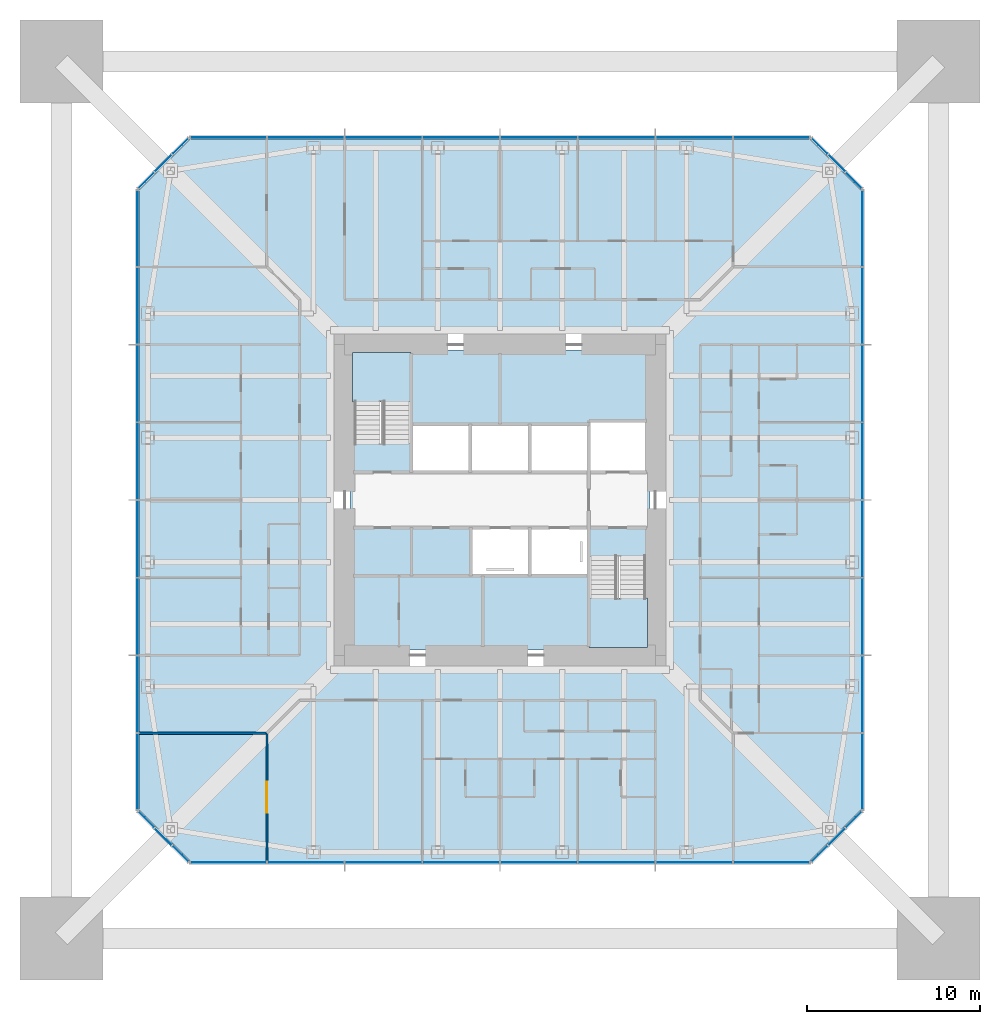
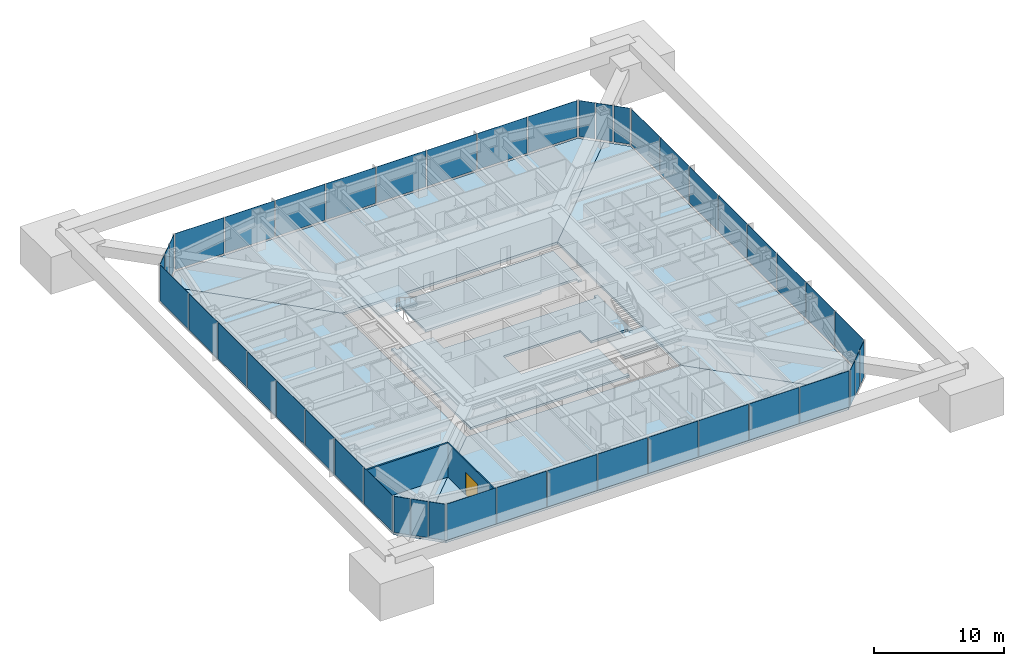
# One storey, part 12 of 20: 44 plates, 8 slabs, 2 walls, 1 door, 1 opening, 10 elements without a shape of their own.
"""IFC4 building model written with IfcOpenShell, lengths in metres."""

from ifc_helpers import new_model, si_unit, direction, frame, frame_2d, origin, origin_2d, place, context, subcontext, project, spatial, polyline, rectangle, outline, extrude, material, layer, layer_set, constituent, constituent_set, type_object, element, fill, aggregate, save


model = new_model("IFC4")

# Units and contexts
model_context = context("Model", 3, precision=1e-05, world=origin(), true_north=direction((0.0, 1.0)))
body_context = subcontext(model_context, "Body", "Model", "MODEL_VIEW")
ifc_project = project(units=[si_unit("LENGTHUNIT", "METRE"), si_unit("AREAUNIT", "SQUARE_METRE"), si_unit("VOLUMEUNIT", "CUBIC_METRE"), si_unit("PLANEANGLEUNIT", "RADIAN"), si_unit("MASSUNIT", "GRAM", prefix="KILO")], contexts=[model_context])

# Site, building, storey
site_placement = place(None, origin())
site = spatial("IfcSite", under=ifc_project, at=site_placement, CompositionType="ELEMENT")
building_placement = place(site_placement, origin())
building = spatial("IfcBuilding", under=site, at=building_placement, Name="Iwan Alto Co-Living Towers", CompositionType="ELEMENT")
storey_placement = place(building_placement, frame((0.0, 0.0, 140.0)))
storey = spatial("IfcBuildingStorey", under=building, at=storey_placement, Name="L38", CompositionType="ELEMENT", Elevation=140.0)

# Slabs
ifc_material_1 = material(Name="Concrete f'c 30 MPa", Category="concrete")
ifc_layer_1 = layer(ifc_material_1, 0.199951171875)
ifc_layer_set_1 = layer_set([ifc_layer_1], Name="CORE FLOOR SLAB 200")
slab_type_1 = type_object("IfcSlabType", Name="CORE FLOOR SLAB 200", PredefinedType="FLOOR", material=ifc_layer_set_1)
slab_1_placement = place(storey_placement, frame((0.0, 0.0, -0.199951171875)))
element("IfcSlab", 1, at=slab_1_placement, inside=storey, type_object=slab_type_1, Name="T1 core floor L38", PredefinedType="FLOOR", context=body_context, shape_type="SweptSolid", body=[
    extrude(outline(polyline([(5.14990234375, -1.60009765625), (1.72509765625, -1.60009765625), (-1.699951171875, -1.60009765625), (-1.699951171875, -4.39990234375), (1.72509765625, -4.39990234375), (5.14990234375, -4.39990234375), (5.14990234375, -8.39990234375), (5.4599609375, -8.39990234375), (5.4599609375, -8.699951171875), (-8.699951171875, -8.699951171875), (-8.699951171875, 3.580078125), (-8.39990234375, 3.580078125), (-8.39990234375, 3.27001953125), (-5.14990234375, 3.27001953125), (-5.14990234375, 1.60009765625), (-1.717041015625, 1.60009765625), (1.717041015625, 1.60009765625), (5.14990234375, 1.60009765625), (8.39990234375, 1.60009765625), (8.39990234375, 1.909912109375), (8.699951171875, 1.909912109375), (8.699951171875, -3.580078125), (8.39990234375, -3.580078125), (8.39990234375, -3.27001953125), (5.14990234375, -3.27001953125), (5.14990234375, -1.60009765625)])), origin(), (0.0, 0.0, 1.0), 0.199951171875),
])
slab_2_placement = place(storey_placement, frame((0.0, 0.0, -0.199951171875)))
element("IfcSlab", 2, at=slab_2_placement, inside=storey, type_object=slab_type_1, Name="T1 core floor L38", PredefinedType="FLOOR", context=body_context, shape_type="SweptSolid", body=[
    extrude(outline(polyline([(1.717041015625, 4.39990234375), (-1.717041015625, 4.39990234375), (-5.14990234375, 4.39990234375), (-5.14990234375, 8.39990234375), (-5.4599609375, 8.39990234375), (-5.4599609375, 8.699951171875), (8.699951171875, 8.699951171875), (8.699951171875, 4.2900390625), (8.39990234375, 4.2900390625), (8.39990234375, 4.60009765625), (5.14990234375, 4.60009765625), (5.14990234375, 4.39990234375), (1.717041015625, 4.39990234375)])), origin(), (0.0, 0.0, 1.0), 0.199951171875),
])

# Curtain wall, plates
ifc_material_2 = material(Name="Bronze aluminium unitised frame", Category="aluminium")
curtain_wall_type_1 = type_object("IfcCurtainWallType", Name="CURTAIN WALL CW-A", PredefinedType="NOTDEFINED", material=ifc_material_2)
curtain_wall_1_placement = place(storey_placement, origin())
curtain_wall_1 = element("IfcCurtainWall", 3, at=curtain_wall_1_placement, inside=storey, type_object=curtain_wall_type_1, Name="T1 curtain wall S L38", PredefinedType="NOTDEFINED")
ifc_material_3 = material(Name="Bronze-tinted insulating glass", Category="glass")
ifc_layer_2 = layer(ifc_material_3, 0.031982421875)
ifc_layer_set_2 = layer_set([ifc_layer_2], Name="CW-A PANEL TINTED IGU 32")
plate_type_1 = type_object("IfcPlateType", Name="CW-A PANEL TINTED IGU 32", PredefinedType="CURTAIN_PANEL", material=ifc_layer_set_2)
plate_1_placement = place(storey_placement, frame((-15.72998046875, -21.0, 0.10009765625), z_axis=(0.0, 0.0, 1.0), x_axis=(1.0, 0.0, 0.0)))
plate_1 = element("IfcPlate", 4, at=plate_1_placement, type_object=plate_type_1, Name="CW-A panel 1.1", PredefinedType="CURTAIN_PANEL", context=body_context, shape_type="SweptSolid", body=[
    extrude(rectangle(XDim=4.3798828125, YDim=0.031982421875, at=origin_2d()), origin(), (0.0, 0.0, 1.0), 3.39990234375),
])
plate_2_placement = place(storey_placement, frame((-11.25, -21.0, 0.10009765625), z_axis=(0.0, 0.0, 1.0), x_axis=(1.0, 0.0, 0.0)))
plate_2 = element("IfcPlate", 5, at=plate_2_placement, type_object=plate_type_1, Name="CW-A panel 2.1", PredefinedType="CURTAIN_PANEL", context=body_context, shape_type="SweptSolid", body=[
    extrude(rectangle(XDim=4.419921875, YDim=0.031982421875, at=origin_2d()), origin(), (0.0, 0.0, 1.0), 3.39990234375),
])
plate_3_placement = place(storey_placement, frame((-6.75, -21.0, 0.10009765625), z_axis=(0.0, 0.0, 1.0), x_axis=(1.0, 0.0, 0.0)))
plate_3 = element("IfcPlate", 6, at=plate_3_placement, type_object=plate_type_1, Name="CW-A panel 3.1", PredefinedType="CURTAIN_PANEL", context=body_context, shape_type="SweptSolid", body=[
    extrude(rectangle(XDim=4.419921875, YDim=0.031982421875, at=origin_2d()), origin(), (0.0, 0.0, 1.0), 3.39990234375),
])
plate_4_placement = place(storey_placement, frame((-2.25, -21.0, 0.10009765625), z_axis=(0.0, 0.0, 1.0), x_axis=(1.0, 0.0, 0.0)))
plate_4 = element("IfcPlate", 7, at=plate_4_placement, type_object=plate_type_1, Name="CW-A panel 4.1", PredefinedType="CURTAIN_PANEL", context=body_context, shape_type="SweptSolid", body=[
    extrude(rectangle(XDim=4.419921875, YDim=0.031982421875, at=origin_2d()), origin(), (0.0, 0.0, 1.0), 3.39990234375),
])
plate_5_placement = place(storey_placement, frame((2.25, -21.0, 0.10009765625), z_axis=(0.0, 0.0, 1.0), x_axis=(1.0, 0.0, 0.0)))
plate_5 = element("IfcPlate", 8, at=plate_5_placement, type_object=plate_type_1, Name="CW-A panel 5.1", PredefinedType="CURTAIN_PANEL", context=body_context, shape_type="SweptSolid", body=[
    extrude(rectangle(XDim=4.419921875, YDim=0.031982421875, at=origin_2d()), origin(), (0.0, 0.0, 1.0), 3.39990234375),
])
plate_6_placement = place(storey_placement, frame((6.75, -21.0, 0.10009765625), z_axis=(0.0, 0.0, 1.0), x_axis=(1.0, 0.0, 0.0)))
plate_6 = element("IfcPlate", 9, at=plate_6_placement, type_object=plate_type_1, Name="CW-A panel 6.1", PredefinedType="CURTAIN_PANEL", context=body_context, shape_type="SweptSolid", body=[
    extrude(rectangle(XDim=4.419921875, YDim=0.031982421875, at=origin_2d()), origin(), (0.0, 0.0, 1.0), 3.39990234375),
])
plate_7_placement = place(storey_placement, frame((11.25, -21.0, 0.10009765625), z_axis=(0.0, 0.0, 1.0), x_axis=(1.0, 0.0, 0.0)))
plate_7 = element("IfcPlate", 10, at=plate_7_placement, type_object=plate_type_1, Name="CW-A panel 7.1", PredefinedType="CURTAIN_PANEL", context=body_context, shape_type="SweptSolid", body=[
    extrude(rectangle(XDim=4.419921875, YDim=0.031982421875, at=origin_2d()), origin(), (0.0, 0.0, 1.0), 3.39990234375),
])
plate_8_placement = place(storey_placement, frame((15.72998046875, -21.0, 0.10009765625), z_axis=(0.0, 0.0, 1.0), x_axis=(1.0, 0.0, 0.0)))
plate_8 = element("IfcPlate", 11, at=plate_8_placement, type_object=plate_type_1, Name="CW-A panel 8.1", PredefinedType="CURTAIN_PANEL", context=body_context, shape_type="SweptSolid", body=[
    extrude(rectangle(XDim=4.3798828125, YDim=0.031982421875, at=origin_2d()), origin(), (0.0, 0.0, 1.0), 3.39990234375),
])
aggregate(curtain_wall_1, [plate_1, plate_2, plate_3, plate_4, plate_5, plate_6, plate_7, plate_8])

curtain_wall_2_placement = place(storey_placement, origin())
curtain_wall_2 = element("IfcCurtainWall", 12, at=curtain_wall_2_placement, inside=storey, type_object=curtain_wall_type_1, Name="T1 curtain wall E L38", PredefinedType="NOTDEFINED")
plate_9_placement = place(storey_placement, frame((21.0, -15.72998046875, 0.10009765625), z_axis=(0.0, 0.0, 1.0), x_axis=(0.0, 1.0, 0.0)))
plate_9 = element("IfcPlate", 13, at=plate_9_placement, type_object=plate_type_1, Name="CW-A panel 1.1", PredefinedType="CURTAIN_PANEL", context=body_context, shape_type="SweptSolid", body=[
    extrude(rectangle(XDim=4.3798828125, YDim=0.031982421875, at=origin_2d()), origin(), (0.0, 0.0, 1.0), 3.39990234375),
])
plate_10_placement = place(storey_placement, frame((21.0, -11.25, 0.10009765625), z_axis=(0.0, 0.0, 1.0), x_axis=(0.0, 1.0, 0.0)))
plate_10 = element("IfcPlate", 14, at=plate_10_placement, type_object=plate_type_1, Name="CW-A panel 2.1", PredefinedType="CURTAIN_PANEL", context=body_context, shape_type="SweptSolid", body=[
    extrude(rectangle(XDim=4.419921875, YDim=0.031982421875, at=origin_2d()), origin(), (0.0, 0.0, 1.0), 3.39990234375),
])
plate_11_placement = place(storey_placement, frame((21.0, -6.75, 0.10009765625), z_axis=(0.0, 0.0, 1.0), x_axis=(0.0, 1.0, 0.0)))
plate_11 = element("IfcPlate", 15, at=plate_11_placement, type_object=plate_type_1, Name="CW-A panel 3.1", PredefinedType="CURTAIN_PANEL", context=body_context, shape_type="SweptSolid", body=[
    extrude(rectangle(XDim=4.419921875, YDim=0.031982421875, at=origin_2d()), origin(), (0.0, 0.0, 1.0), 3.39990234375),
])
plate_12_placement = place(storey_placement, frame((21.0, -2.25, 0.10009765625), z_axis=(0.0, 0.0, 1.0), x_axis=(0.0, 1.0, 0.0)))
plate_12 = element("IfcPlate", 16, at=plate_12_placement, type_object=plate_type_1, Name="CW-A panel 4.1", PredefinedType="CURTAIN_PANEL", context=body_context, shape_type="SweptSolid", body=[
    extrude(rectangle(XDim=4.419921875, YDim=0.031982421875, at=origin_2d()), origin(), (0.0, 0.0, 1.0), 3.39990234375),
])
plate_13_placement = place(storey_placement, frame((21.0, 2.25, 0.10009765625), z_axis=(0.0, 0.0, 1.0), x_axis=(0.0, 1.0, 0.0)))
plate_13 = element("IfcPlate", 17, at=plate_13_placement, type_object=plate_type_1, Name="CW-A panel 5.1", PredefinedType="CURTAIN_PANEL", context=body_context, shape_type="SweptSolid", body=[
    extrude(rectangle(XDim=4.419921875, YDim=0.031982421875, at=origin_2d()), origin(), (0.0, 0.0, 1.0), 3.39990234375),
])
plate_14_placement = place(storey_placement, frame((21.0, 6.75, 0.10009765625), z_axis=(0.0, 0.0, 1.0), x_axis=(0.0, 1.0, 0.0)))
plate_14 = element("IfcPlate", 18, at=plate_14_placement, type_object=plate_type_1, Name="CW-A panel 6.1", PredefinedType="CURTAIN_PANEL", context=body_context, shape_type="SweptSolid", body=[
    extrude(rectangle(XDim=4.419921875, YDim=0.031982421875, at=origin_2d()), origin(), (0.0, 0.0, 1.0), 3.39990234375),
])
plate_15_placement = place(storey_placement, frame((21.0, 11.25, 0.10009765625), z_axis=(0.0, 0.0, 1.0), x_axis=(0.0, 1.0, 0.0)))
plate_15 = element("IfcPlate", 19, at=plate_15_placement, type_object=plate_type_1, Name="CW-A panel 7.1", PredefinedType="CURTAIN_PANEL", context=body_context, shape_type="SweptSolid", body=[
    extrude(rectangle(XDim=4.419921875, YDim=0.031982421875, at=origin_2d()), origin(), (0.0, 0.0, 1.0), 3.39990234375),
])
plate_16_placement = place(storey_placement, frame((21.0, 15.72998046875, 0.10009765625), z_axis=(0.0, 0.0, 1.0), x_axis=(0.0, 1.0, 0.0)))
plate_16 = element("IfcPlate", 20, at=plate_16_placement, type_object=plate_type_1, Name="CW-A panel 8.1", PredefinedType="CURTAIN_PANEL", context=body_context, shape_type="SweptSolid", body=[
    extrude(rectangle(XDim=4.3798828125, YDim=0.031982421875, at=origin_2d()), origin(), (0.0, 0.0, 1.0), 3.39990234375),
])
aggregate(curtain_wall_2, [plate_9, plate_10, plate_11, plate_12, plate_13, plate_14, plate_15, plate_16])

curtain_wall_3_placement = place(storey_placement, origin())
curtain_wall_3 = element("IfcCurtainWall", 21, at=curtain_wall_3_placement, inside=storey, type_object=curtain_wall_type_1, Name="T1 curtain wall N L38", PredefinedType="NOTDEFINED")
plate_17_placement = place(storey_placement, frame((15.72998046875, 21.0, 0.10009765625), z_axis=(0.0, 0.0, 1.0), x_axis=(-1.0, 0.0, 0.0)))
plate_17 = element("IfcPlate", 22, at=plate_17_placement, type_object=plate_type_1, Name="CW-A panel 1.1", PredefinedType="CURTAIN_PANEL", context=body_context, shape_type="SweptSolid", body=[
    extrude(rectangle(XDim=4.3798828125, YDim=0.031982421875, at=origin_2d()), origin(), (0.0, 0.0, 1.0), 3.39990234375),
])
plate_18_placement = place(storey_placement, frame((11.25, 21.0, 0.10009765625), z_axis=(0.0, 0.0, 1.0), x_axis=(-1.0, 0.0, 0.0)))
plate_18 = element("IfcPlate", 23, at=plate_18_placement, type_object=plate_type_1, Name="CW-A panel 2.1", PredefinedType="CURTAIN_PANEL", context=body_context, shape_type="SweptSolid", body=[
    extrude(rectangle(XDim=4.419921875, YDim=0.031982421875, at=origin_2d()), origin(), (0.0, 0.0, 1.0), 3.39990234375),
])
plate_19_placement = place(storey_placement, frame((6.75, 21.0, 0.10009765625), z_axis=(0.0, 0.0, 1.0), x_axis=(-1.0, 0.0, 0.0)))
plate_19 = element("IfcPlate", 24, at=plate_19_placement, type_object=plate_type_1, Name="CW-A panel 3.1", PredefinedType="CURTAIN_PANEL", context=body_context, shape_type="SweptSolid", body=[
    extrude(rectangle(XDim=4.419921875, YDim=0.031982421875, at=origin_2d()), origin(), (0.0, 0.0, 1.0), 3.39990234375),
])
plate_20_placement = place(storey_placement, frame((2.25, 21.0, 0.10009765625), z_axis=(0.0, 0.0, 1.0), x_axis=(-1.0, 0.0, 0.0)))
plate_20 = element("IfcPlate", 25, at=plate_20_placement, type_object=plate_type_1, Name="CW-A panel 4.1", PredefinedType="CURTAIN_PANEL", context=body_context, shape_type="SweptSolid", body=[
    extrude(rectangle(XDim=4.419921875, YDim=0.031982421875, at=origin_2d()), origin(), (0.0, 0.0, 1.0), 3.39990234375),
])
plate_21_placement = place(storey_placement, frame((-2.25, 21.0, 0.10009765625), z_axis=(0.0, 0.0, 1.0), x_axis=(-1.0, 0.0, 0.0)))
plate_21 = element("IfcPlate", 26, at=plate_21_placement, type_object=plate_type_1, Name="CW-A panel 5.1", PredefinedType="CURTAIN_PANEL", context=body_context, shape_type="SweptSolid", body=[
    extrude(rectangle(XDim=4.419921875, YDim=0.031982421875, at=origin_2d()), origin(), (0.0, 0.0, 1.0), 3.39990234375),
])
plate_22_placement = place(storey_placement, frame((-6.75, 21.0, 0.10009765625), z_axis=(0.0, 0.0, 1.0), x_axis=(-1.0, 0.0, 0.0)))
plate_22 = element("IfcPlate", 27, at=plate_22_placement, type_object=plate_type_1, Name="CW-A panel 6.1", PredefinedType="CURTAIN_PANEL", context=body_context, shape_type="SweptSolid", body=[
    extrude(rectangle(XDim=4.419921875, YDim=0.031982421875, at=origin_2d()), origin(), (0.0, 0.0, 1.0), 3.39990234375),
])
plate_23_placement = place(storey_placement, frame((-11.25, 21.0, 0.10009765625), z_axis=(0.0, 0.0, 1.0), x_axis=(-1.0, 0.0, 0.0)))
plate_23 = element("IfcPlate", 28, at=plate_23_placement, type_object=plate_type_1, Name="CW-A panel 7.1", PredefinedType="CURTAIN_PANEL", context=body_context, shape_type="SweptSolid", body=[
    extrude(rectangle(XDim=4.419921875, YDim=0.031982421875, at=origin_2d()), origin(), (0.0, 0.0, 1.0), 3.39990234375),
])
plate_24_placement = place(storey_placement, frame((-15.72998046875, 21.0, 0.10009765625), z_axis=(0.0, 0.0, 1.0), x_axis=(-1.0, 0.0, 0.0)))
plate_24 = element("IfcPlate", 29, at=plate_24_placement, type_object=plate_type_1, Name="CW-A panel 8.1", PredefinedType="CURTAIN_PANEL", context=body_context, shape_type="SweptSolid", body=[
    extrude(rectangle(XDim=4.3798828125, YDim=0.031982421875, at=origin_2d()), origin(), (0.0, 0.0, 1.0), 3.39990234375),
])
aggregate(curtain_wall_3, [plate_17, plate_18, plate_19, plate_20, plate_21, plate_22, plate_23, plate_24])

curtain_wall_4_placement = place(storey_placement, origin())
curtain_wall_4 = element("IfcCurtainWall", 30, at=curtain_wall_4_placement, inside=storey, type_object=curtain_wall_type_1, Name="T1 curtain wall W L38", PredefinedType="NOTDEFINED")
plate_25_placement = place(storey_placement, frame((-21.0, 15.72998046875, 0.10009765625), z_axis=(0.0, 0.0, 1.0), x_axis=(0.0, -1.0, 0.0)))
plate_25 = element("IfcPlate", 31, at=plate_25_placement, type_object=plate_type_1, Name="CW-A panel 1.1", PredefinedType="CURTAIN_PANEL", context=body_context, shape_type="SweptSolid", body=[
    extrude(rectangle(XDim=4.3798828125, YDim=0.031982421875, at=origin_2d()), origin(), (0.0, 0.0, 1.0), 3.39990234375),
])
plate_26_placement = place(storey_placement, frame((-21.0, 11.25, 0.10009765625), z_axis=(0.0, 0.0, 1.0), x_axis=(0.0, -1.0, 0.0)))
plate_26 = element("IfcPlate", 32, at=plate_26_placement, type_object=plate_type_1, Name="CW-A panel 2.1", PredefinedType="CURTAIN_PANEL", context=body_context, shape_type="SweptSolid", body=[
    extrude(rectangle(XDim=4.419921875, YDim=0.031982421875, at=origin_2d()), origin(), (0.0, 0.0, 1.0), 3.39990234375),
])
plate_27_placement = place(storey_placement, frame((-21.0, 6.75, 0.10009765625), z_axis=(0.0, 0.0, 1.0), x_axis=(0.0, -1.0, 0.0)))
plate_27 = element("IfcPlate", 33, at=plate_27_placement, type_object=plate_type_1, Name="CW-A panel 3.1", PredefinedType="CURTAIN_PANEL", context=body_context, shape_type="SweptSolid", body=[
    extrude(rectangle(XDim=4.419921875, YDim=0.031982421875, at=origin_2d()), origin(), (0.0, 0.0, 1.0), 3.39990234375),
])
plate_28_placement = place(storey_placement, frame((-21.0, 2.25, 0.10009765625), z_axis=(0.0, 0.0, 1.0), x_axis=(0.0, -1.0, 0.0)))
plate_28 = element("IfcPlate", 34, at=plate_28_placement, type_object=plate_type_1, Name="CW-A panel 4.1", PredefinedType="CURTAIN_PANEL", context=body_context, shape_type="SweptSolid", body=[
    extrude(rectangle(XDim=4.419921875, YDim=0.031982421875, at=origin_2d()), origin(), (0.0, 0.0, 1.0), 3.39990234375),
])
plate_29_placement = place(storey_placement, frame((-21.0, -2.25, 0.10009765625), z_axis=(0.0, 0.0, 1.0), x_axis=(0.0, -1.0, 0.0)))
plate_29 = element("IfcPlate", 35, at=plate_29_placement, type_object=plate_type_1, Name="CW-A panel 5.1", PredefinedType="CURTAIN_PANEL", context=body_context, shape_type="SweptSolid", body=[
    extrude(rectangle(XDim=4.419921875, YDim=0.031982421875, at=origin_2d()), origin(), (0.0, 0.0, 1.0), 3.39990234375),
])
plate_30_placement = place(storey_placement, frame((-21.0, -6.75, 0.10009765625), z_axis=(0.0, 0.0, 1.0), x_axis=(0.0, -1.0, 0.0)))
plate_30 = element("IfcPlate", 36, at=plate_30_placement, type_object=plate_type_1, Name="CW-A panel 6.1", PredefinedType="CURTAIN_PANEL", context=body_context, shape_type="SweptSolid", body=[
    extrude(rectangle(XDim=4.419921875, YDim=0.031982421875, at=origin_2d()), origin(), (0.0, 0.0, 1.0), 3.39990234375),
])
plate_31_placement = place(storey_placement, frame((-21.0, -11.25, 0.10009765625), z_axis=(0.0, 0.0, 1.0), x_axis=(0.0, -1.0, 0.0)))
plate_31 = element("IfcPlate", 37, at=plate_31_placement, type_object=plate_type_1, Name="CW-A panel 7.1", PredefinedType="CURTAIN_PANEL", context=body_context, shape_type="SweptSolid", body=[
    extrude(rectangle(XDim=4.419921875, YDim=0.031982421875, at=origin_2d()), origin(), (0.0, 0.0, 1.0), 3.39990234375),
])
plate_32_placement = place(storey_placement, frame((-21.0, -15.72998046875, 0.10009765625), z_axis=(0.0, 0.0, 1.0), x_axis=(0.0, -1.0, 0.0)))
plate_32 = element("IfcPlate", 38, at=plate_32_placement, type_object=plate_type_1, Name="CW-A panel 8.1", PredefinedType="CURTAIN_PANEL", context=body_context, shape_type="SweptSolid", body=[
    extrude(rectangle(XDim=4.3798828125, YDim=0.031982421875, at=origin_2d()), origin(), (0.0, 0.0, 1.0), 3.39990234375),
])
aggregate(curtain_wall_4, [plate_25, plate_26, plate_27, plate_28, plate_29, plate_30, plate_31, plate_32])

ifc_material_4 = material(Name="Bronze aluminium unitised frame", Category="aluminium")
curtain_wall_type_2 = type_object("IfcCurtainWallType", Name="CURTAIN WALL CW-B", PredefinedType="NOTDEFINED", material=ifc_material_4)
curtain_wall_5_placement = place(storey_placement, origin())
curtain_wall_5 = element("IfcCurtainWall", 39, at=curtain_wall_5_placement, inside=storey, type_object=curtain_wall_type_2, Name="T1 chamfer curtain wall SE L38", PredefinedType="NOTDEFINED")
ifc_material_5 = material(Name="Bronze-tinted insulating glass", Category="glass")
ifc_layer_3 = layer(ifc_material_5, 0.031982421875)
ifc_layer_set_3 = layer_set([ifc_layer_3], Name="CW-B PANEL TINTED IGU 32")
plate_type_2 = type_object("IfcPlateType", Name="CW-B PANEL TINTED IGU 32", PredefinedType="CURTAIN_PANEL", material=ifc_layer_set_3)
plate_33_placement = place(storey_placement, frame((18.51416015625, -20.48583984375, 0.10009765625), z_axis=(0.0, 0.0, 1.0), x_axis=(0.707106781187, 0.707106781187, 0.0)))
plate_33 = element("IfcPlate", 40, at=plate_33_placement, type_object=plate_type_2, Name="CW-B panel 1.1", PredefinedType="CURTAIN_PANEL", context=body_context, shape_type="SweptSolid", body=[
    extrude(rectangle(XDim=1.294189453125, YDim=0.031982421875, at=origin_2d()), origin(), (0.0, 0.0, 1.0), 3.39990234375),
])
plate_34_placement = place(storey_placement, frame((19.5, -19.5, 0.10009765625), z_axis=(0.0, 0.0, 1.0), x_axis=(0.707106781187, 0.707106781187, 0.0)))
plate_34 = element("IfcPlate", 41, at=plate_34_placement, type_object=plate_type_2, Name="CW-B panel 2.1", PredefinedType="CURTAIN_PANEL", context=body_context, shape_type="SweptSolid", body=[
    extrude(rectangle(XDim=1.334228515625, YDim=0.031982421875, at=origin_2d()), origin(), (0.0, 0.0, 1.0), 3.39990234375),
])
plate_35_placement = place(storey_placement, frame((20.48583984375, -18.51416015625, 0.10009765625), z_axis=(0.0, 0.0, 1.0), x_axis=(0.707106781187, 0.707106781187, 0.0)))
plate_35 = element("IfcPlate", 42, at=plate_35_placement, type_object=plate_type_2, Name="CW-B panel 3.1", PredefinedType="CURTAIN_PANEL", context=body_context, shape_type="SweptSolid", body=[
    extrude(rectangle(XDim=1.294189453125, YDim=0.031982421875, at=origin_2d()), origin(), (0.0, 0.0, 1.0), 3.39990234375),
])
aggregate(curtain_wall_5, [plate_33, plate_34, plate_35])

curtain_wall_6_placement = place(storey_placement, origin())
curtain_wall_6 = element("IfcCurtainWall", 43, at=curtain_wall_6_placement, inside=storey, type_object=curtain_wall_type_2, Name="T1 chamfer curtain wall NE L38", PredefinedType="NOTDEFINED")
plate_36_placement = place(storey_placement, frame((20.48583984375, 18.51416015625, 0.10009765625), z_axis=(0.0, 0.0, 1.0), x_axis=(-0.707106781187, 0.707106781187, 0.0)))
plate_36 = element("IfcPlate", 44, at=plate_36_placement, type_object=plate_type_2, Name="CW-B panel 1.1", PredefinedType="CURTAIN_PANEL", context=body_context, shape_type="SweptSolid", body=[
    extrude(rectangle(XDim=1.294189453125, YDim=0.031982421875, at=origin_2d()), origin(), (0.0, 0.0, 1.0), 3.39990234375),
])
plate_37_placement = place(storey_placement, frame((19.5, 19.5, 0.10009765625), z_axis=(0.0, 0.0, 1.0), x_axis=(-0.707106781187, 0.707106781187, 0.0)))
plate_37 = element("IfcPlate", 45, at=plate_37_placement, type_object=plate_type_2, Name="CW-B panel 2.1", PredefinedType="CURTAIN_PANEL", context=body_context, shape_type="SweptSolid", body=[
    extrude(rectangle(XDim=1.334228515625, YDim=0.031982421875, at=origin_2d()), origin(), (0.0, 0.0, 1.0), 3.39990234375),
])
plate_38_placement = place(storey_placement, frame((18.51416015625, 20.48583984375, 0.10009765625), z_axis=(0.0, 0.0, 1.0), x_axis=(-0.707106781187, 0.707106781187, 0.0)))
plate_38 = element("IfcPlate", 46, at=plate_38_placement, type_object=plate_type_2, Name="CW-B panel 3.1", PredefinedType="CURTAIN_PANEL", context=body_context, shape_type="SweptSolid", body=[
    extrude(rectangle(XDim=1.294189453125, YDim=0.031982421875, at=origin_2d()), origin(), (0.0, 0.0, 1.0), 3.39990234375),
])
aggregate(curtain_wall_6, [plate_36, plate_37, plate_38])

curtain_wall_7_placement = place(storey_placement, origin())
curtain_wall_7 = element("IfcCurtainWall", 47, at=curtain_wall_7_placement, inside=storey, type_object=curtain_wall_type_2, Name="T1 chamfer curtain wall NW L38", PredefinedType="NOTDEFINED")
plate_39_placement = place(storey_placement, frame((-18.51416015625, 20.48583984375, 0.10009765625), z_axis=(0.0, 0.0, 1.0), x_axis=(-0.707106781187, -0.707106781187, 0.0)))
plate_39 = element("IfcPlate", 48, at=plate_39_placement, type_object=plate_type_2, Name="CW-B panel 1.1", PredefinedType="CURTAIN_PANEL", context=body_context, shape_type="SweptSolid", body=[
    extrude(rectangle(XDim=1.294189453125, YDim=0.031982421875, at=origin_2d()), origin(), (0.0, 0.0, 1.0), 3.39990234375),
])
plate_40_placement = place(storey_placement, frame((-19.5, 19.5, 0.10009765625), z_axis=(0.0, 0.0, 1.0), x_axis=(-0.707106781187, -0.707106781187, 0.0)))
plate_40 = element("IfcPlate", 49, at=plate_40_placement, type_object=plate_type_2, Name="CW-B panel 2.1", PredefinedType="CURTAIN_PANEL", context=body_context, shape_type="SweptSolid", body=[
    extrude(rectangle(XDim=1.334228515625, YDim=0.031982421875, at=origin_2d()), origin(), (0.0, 0.0, 1.0), 3.39990234375),
])
plate_41_placement = place(storey_placement, frame((-20.48583984375, 18.51416015625, 0.10009765625), z_axis=(0.0, 0.0, 1.0), x_axis=(-0.707106781187, -0.707106781187, 0.0)))
plate_41 = element("IfcPlate", 50, at=plate_41_placement, type_object=plate_type_2, Name="CW-B panel 3.1", PredefinedType="CURTAIN_PANEL", context=body_context, shape_type="SweptSolid", body=[
    extrude(rectangle(XDim=1.294189453125, YDim=0.031982421875, at=origin_2d()), origin(), (0.0, 0.0, 1.0), 3.39990234375),
])
aggregate(curtain_wall_7, [plate_39, plate_40, plate_41])

curtain_wall_8_placement = place(storey_placement, origin())
curtain_wall_8 = element("IfcCurtainWall", 51, at=curtain_wall_8_placement, inside=storey, type_object=curtain_wall_type_2, Name="T1 chamfer curtain wall SW L38", PredefinedType="NOTDEFINED")
plate_42_placement = place(storey_placement, frame((-20.48583984375, -18.51416015625, 0.10009765625), z_axis=(0.0, 0.0, 1.0), x_axis=(0.707106781187, -0.707106781187, 0.0)))
plate_42 = element("IfcPlate", 52, at=plate_42_placement, type_object=plate_type_2, Name="CW-B panel 1.1", PredefinedType="CURTAIN_PANEL", context=body_context, shape_type="SweptSolid", body=[
    extrude(rectangle(XDim=1.294189453125, YDim=0.031982421875, at=origin_2d()), origin(), (0.0, 0.0, 1.0), 3.39990234375),
])
plate_43_placement = place(storey_placement, frame((-19.5, -19.5, 0.10009765625), z_axis=(0.0, 0.0, 1.0), x_axis=(0.707106781187, -0.707106781187, 0.0)))
plate_43 = element("IfcPlate", 53, at=plate_43_placement, type_object=plate_type_2, Name="CW-B panel 2.1", PredefinedType="CURTAIN_PANEL", context=body_context, shape_type="SweptSolid", body=[
    extrude(rectangle(XDim=1.334228515625, YDim=0.031982421875, at=origin_2d()), origin(), (0.0, 0.0, 1.0), 3.39990234375),
])
plate_44_placement = place(storey_placement, frame((-18.51416015625, -20.48583984375, 0.10009765625), z_axis=(0.0, 0.0, 1.0), x_axis=(0.707106781187, -0.707106781187, 0.0)))
plate_44 = element("IfcPlate", 54, at=plate_44_placement, type_object=plate_type_2, Name="CW-B panel 3.1", PredefinedType="CURTAIN_PANEL", context=body_context, shape_type="SweptSolid", body=[
    extrude(rectangle(XDim=1.294189453125, YDim=0.031982421875, at=origin_2d()), origin(), (0.0, 0.0, 1.0), 3.39990234375),
])
aggregate(curtain_wall_8, [plate_42, plate_43, plate_44])

# Stair, slab
ifc_material_6 = material(Name="Steel ASTM A36", Category="steel")
ifc_constituent_1 = constituent(ifc_material_6, Name="Stringers", Category="LoadBearing")
ifc_material_7 = material(Name="Concrete f'c 30 MPa", Category="concrete")
ifc_constituent_2 = constituent(ifc_material_7, Name="Tread fill", Category="Finish")
ifc_constituent_set = constituent_set(constituents=[ifc_constituent_1, ifc_constituent_2], Name="STAIR 3500 TWO-FLIGHT T1 CORE")
stair_type = type_object("IfcStairType", Name="STAIR 3500 TWO-FLIGHT T1 CORE", PredefinedType="HALF_TURN_STAIR", material=ifc_constituent_set)
stair_1_placement = place(storey_placement, origin())
stair_1 = element("IfcStair", 55, at=stair_1_placement, inside=storey, type_object=stair_type, Name="Stair T1-S1 L38 to L39", PredefinedType="HALF_TURN_STAIR")
ifc_material_8 = material(Name="Concrete f'c 30 MPa", Category="concrete")
ifc_layer_4 = layer(ifc_material_8, 0.199951171875)
ifc_layer_set_4 = layer_set([ifc_layer_4], Name="STAIR LANDING 200")
slab_type_2 = type_object("IfcSlabType", Name="STAIR LANDING 200", PredefinedType="LANDING", material=ifc_layer_set_4)
slab_3_placement = place(storey_placement, frame((0.0, 0.0, 1.550048828125)))
slab_3 = element("IfcSlab", 56, at=slab_3_placement, type_object=slab_type_2, Name="T1-S1 landing 1", PredefinedType="LANDING", context=body_context, shape_type="SweptSolid", body=[
    extrude(outline(polyline([(-8.550048828125, 5.68994140625), (-8.550048828125, 8.550048828125), (-5.14990234375, 8.550048828125), (-5.14990234375, 5.68994140625), (-8.550048828125, 5.68994140625)])), origin(), (0.0, 0.0, 1.0), 0.199951171875),
])
aggregate(stair_1, [slab_3])

stair_2_placement = place(storey_placement, origin())
stair_2 = element("IfcStair", 57, at=stair_2_placement, inside=storey, type_object=stair_type, Name="Stair T1-S2 L38 to L39", PredefinedType="HALF_TURN_STAIR")
slab_4_placement = place(storey_placement, frame((0.0, 0.0, 1.550048828125)))
slab_4 = element("IfcSlab", 58, at=slab_4_placement, type_object=slab_type_2, Name="T1-S2 landing 1", PredefinedType="LANDING", context=body_context, shape_type="SweptSolid", body=[
    extrude(outline(polyline([(5.14990234375, -5.68994140625), (5.14990234375, -8.550048828125), (8.550048828125, -8.550048828125), (8.550048828125, -5.68994140625), (5.14990234375, -5.68994140625)])), origin(), (0.0, 0.0, 1.0), 0.199951171875),
])
aggregate(stair_2, [slab_4])

# Slabs
ifc_material_9 = material(Name="Concrete f'c 30 MPa", Category="concrete")
ifc_layer_5 = layer(ifc_material_9, 0.22998046875)
ifc_layer_set_5 = layer_set([ifc_layer_5], Name="T1 FLOOR SLAB 230")
slab_type_3 = type_object("IfcSlabType", Name="T1 FLOOR SLAB 230", PredefinedType="FLOOR", material=ifc_layer_set_5)
slab_5_placement = place(storey_placement, frame((0.0, 0.0, -0.22998046875)))
element("IfcSlab", 59, at=slab_5_placement, inside=storey, type_object=slab_type_3, Name="T1 floor slab L38 S pour", PredefinedType="FLOOR", context=body_context, shape_type="SweptSolid", body=[
    extrude(outline(polyline([(17.94140625, -20.89990234375), (-17.94140625, -20.89990234375), (-19.420654296875, -19.420654296875), (-9.60009765625, -9.60009765625), (9.60009765625, -9.60009765625), (19.420654296875, -19.420654296875), (17.94140625, -20.89990234375)])), origin(), (0.0, 0.0, 1.0), 0.22998046875),
])
slab_6_placement = place(storey_placement, frame((0.0, 0.0, -0.22998046875)))
element("IfcSlab", 60, at=slab_6_placement, inside=storey, type_object=slab_type_3, Name="T1 floor slab L38 E pour", PredefinedType="FLOOR", context=body_context, shape_type="SweptSolid", body=[
    extrude(outline(polyline([(20.89990234375, 17.94140625), (20.89990234375, -17.94140625), (19.420654296875, -19.420654296875), (9.60009765625, -9.60009765625), (9.60009765625, 9.60009765625), (19.420654296875, 19.420654296875), (20.89990234375, 17.94140625)])), origin(), (0.0, 0.0, 1.0), 0.22998046875),
])
slab_7_placement = place(storey_placement, frame((0.0, 0.0, -0.22998046875)))
element("IfcSlab", 61, at=slab_7_placement, inside=storey, type_object=slab_type_3, Name="T1 floor slab L38 N pour", PredefinedType="FLOOR", context=body_context, shape_type="SweptSolid", body=[
    extrude(outline(polyline([(-17.94140625, 20.89990234375), (17.94140625, 20.89990234375), (19.420654296875, 19.420654296875), (9.60009765625, 9.60009765625), (-9.60009765625, 9.60009765625), (-19.420654296875, 19.420654296875), (-17.94140625, 20.89990234375)])), origin(), (0.0, 0.0, 1.0), 0.22998046875),
])
slab_8_placement = place(storey_placement, frame((0.0, 0.0, -0.22998046875)))
element("IfcSlab", 62, at=slab_8_placement, inside=storey, type_object=slab_type_3, Name="T1 floor slab L38 W pour", PredefinedType="FLOOR", context=body_context, shape_type="SweptSolid", body=[
    extrude(outline(polyline([(-20.89990234375, 17.94140625), (-19.420654296875, 19.420654296875), (-9.60009765625, 9.60009765625), (-9.60009765625, -9.60009765625), (-19.420654296875, -19.420654296875), (-20.89990234375, -17.94140625), (-20.89990234375, 17.94140625)])), origin(), (0.0, 0.0, 1.0), 0.22998046875),
])

# Wall
ifc_material_10 = material(Name="Gypsum board")
ifc_layer_6 = layer(ifc_material_10, 0.02490234375, Name="Board", Category="Finish")
ifc_material_11 = material(Name="Steel ASTM A1003 ST33H cold-formed studs", Category="steel")
ifc_layer_7 = layer(ifc_material_11, 0.10009765625, Name="Studs", Category="Framing")
ifc_layer_8 = layer(ifc_material_10, 0.02490234375, Name="Board", Category="Finish")
ifc_layer_set_6 = layer_set([ifc_layer_6, ifc_layer_7, ifc_layer_8], Name="CORRIDOR WALL 150")
wall_type_1 = type_object("IfcWallType", Name="CORRIDOR WALL 150", PredefinedType="PARTITIONING", material=ifc_layer_set_6)
wall_1_placement = place(storey_placement, frame((-20.93994140625, -13.5, 0.0), z_axis=(0.0, 0.0, 1.0), x_axis=(1.0, 0.0, 0.0)))
element("IfcWall", 63, at=wall_1_placement, inside=storey, type_object=wall_type_1, Name="Partition L38", PredefinedType="PARTITIONING", context=body_context, shape_type="SweptSolid", body=[
    extrude(rectangle(XDim=7.43994140625, YDim=0.14990234375, at=frame_2d((3.719970703125, 0.0))), origin(), (0.0, 0.0, 1.0), 3.199951171875),
])

# Wall, opening, door
ifc_layer_9 = layer(ifc_material_10, 0.012451171875, Name="Board", Category="Finish")
ifc_layer_10 = layer(ifc_material_11, 0.074951171875, Name="Studs", Category="Framing")
ifc_layer_11 = layer(ifc_material_10, 0.012451171875, Name="Board", Category="Finish")
ifc_layer_set_7 = layer_set([ifc_layer_9, ifc_layer_10, ifc_layer_11], Name="PARTITION 100")
wall_type_2 = type_object("IfcWallType", Name="PARTITION 100", PredefinedType="PARTITIONING", material=ifc_layer_set_7)
wall_2_placement = place(storey_placement, frame((-13.5, -20.93994140625, 0.0), z_axis=(0.0, 0.0, 1.0), x_axis=(0.0, 1.0, 0.0)))
wall_2 = element("IfcWall", 64, at=wall_2_placement, inside=storey, type_object=wall_type_2, Name="Partition L38", PredefinedType="PARTITIONING", context=body_context, shape_type="SweptSolid", body=[
    extrude(rectangle(XDim=7.43994140625, YDim=0.10009765625, at=frame_2d((3.719970703125, 0.0))), origin(), (0.0, 0.0, 1.0), 3.199951171875),
])
opening_placement = place(wall_2_placement, frame((2.820068359375, 0.0, 0.0)))
opening = element("IfcOpeningElement", 65, at=opening_placement, cuts=wall_2, Name="Opening D14", PredefinedType="OPENING", context=body_context, shape_type="SweptSolid", body=[
    extrude(rectangle(XDim=1.800048828125, YDim=2.10009765625, at=frame_2d((0.89990234375, 1.050048828125))), frame((0.0, 0.06005859375, 0.0), z_axis=(0.0, -1.0, 0.0), x_axis=(1.0, 0.0, 0.0)), (0.0, 0.0, 1.0), 0.1201171875),
])
ifc_material_12 = material(Name="Timber leaf in steel frame", Category="steel")
door_type = type_object("IfcDoorType", Name="LOUNGE DOOR 1800X2100", OperationType="DOUBLE_DOOR_SINGLE_SWING", PredefinedType="DOOR", material=ifc_material_12)
door_placement = place(opening_placement, frame((1.800048828125, 0.0, 0.0), z_axis=(0.0, 0.0, 1.0), x_axis=(-1.0, 0.0, 0.0)))
door = element("IfcDoor", 66, at=door_placement, inside=storey, type_object=door_type, Name="Courtyard lounge door L38", OperationType="DOUBLE_DOOR_SINGLE_SWING", OverallHeight=2.10009765625, OverallWidth=1.800048828125, PredefinedType="DOOR", context=body_context, shape_type="SweptSolid", body=[
    extrude(rectangle(XDim=1.800048828125, YDim=2.10009765625, at=frame_2d((0.89990234375, 1.050048828125))), frame((0.0, 0.02490234375, 0.0), z_axis=(0.0, -1.0, 0.0), x_axis=(1.0, 0.0, 0.0)), (0.0, 0.0, 1.0), 0.050048828125),
])
fill(opening, door)

save(model, "model.ifc")
